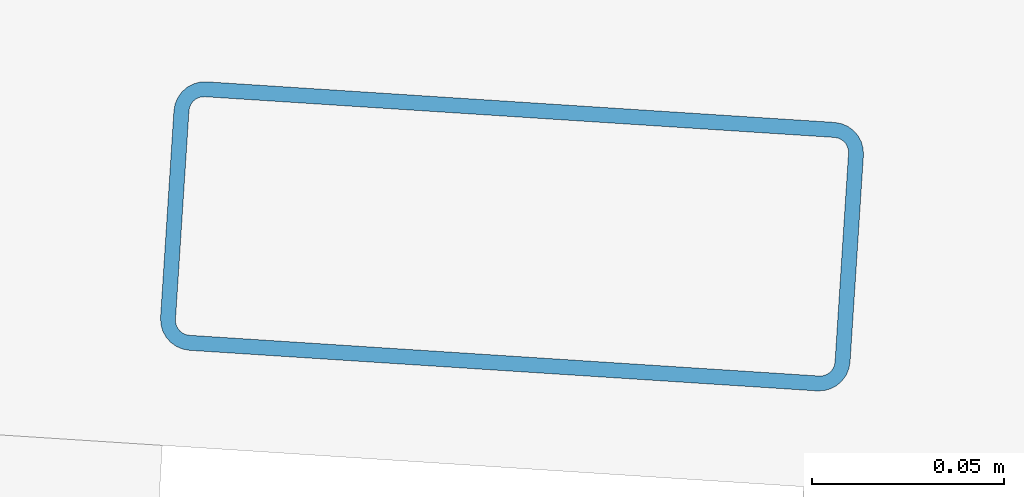
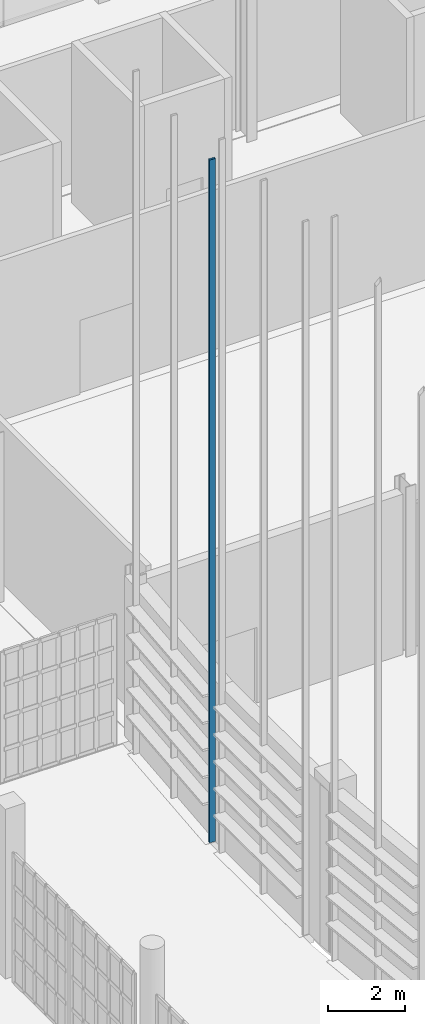
# One storey, part 94 of 372: 1 member.
"""IFC4 building model written with IfcOpenShell, lengths in metres."""

from ifc_helpers import new_model, si_unit, direction, frame, origin, origin_2d, place, context, subcontext, project, spatial, hollow_rectangle, extrude, material, material_profile, profile_set, type_object, element, save


model = new_model("IFC4")

# Units and contexts
model_context = context("Model", 3, precision=1e-05, world=origin(), true_north=direction((0.0, 1.0)))
body_context = subcontext(model_context, "Body", "Model", "MODEL_VIEW")
ifc_project = project(units=[si_unit("LENGTHUNIT", "METRE"), si_unit("AREAUNIT", "SQUARE_METRE"), si_unit("VOLUMEUNIT", "CUBIC_METRE"), si_unit("PLANEANGLEUNIT", "RADIAN"), si_unit("MASSUNIT", "GRAM", prefix="KILO")], contexts=[model_context])

# Site, building, storey
site_placement = place(None, origin())
site = spatial("IfcSite", under=ifc_project, at=site_placement, CompositionType="ELEMENT")
building_placement = place(site_placement, origin())
building = spatial("IfcBuilding", under=site, at=building_placement, Name="Kaelora Sail Theatre", CompositionType="ELEMENT")
storey_placement = place(building_placement, origin())
storey = spatial("IfcBuildingStorey", under=building, at=storey_placement, Name="L00", CompositionType="ELEMENT", Elevation=0.0)

# Member
ifc_material = material(Name="Anodised aluminium 6063-T6", Category="aluminium")
ifc_material_profile = material_profile(ifc_material, hollow_rectangle(XDim=0.070068359375, YDim=0.179931640625, WallThickness=0.00390625, InnerFilletRadius=0.00390625, OuterFilletRadius=0.008056640625, at=origin_2d()), Name="ALU-MULL 70x180x4")
ifc_profile_set = profile_set([ifc_material_profile], Name="Anodised aluminium 6063-T6")
member_type = type_object("IfcMemberType", Name="ARC-MEM-PST-160", PredefinedType="POST", material=ifc_profile_set)
member_placement = place(storey_placement, frame((25.195556640625, 56.0087890625, 0.0), z_axis=(0.0, 0.0, 1.0), x_axis=(0.064532308253, 0.997915618272, 0.0)))
element("IfcMember", 1, at=member_placement, inside=storey, type_object=member_type, Name="Main Theatre Sail Drum solar louvre vertical support post C22-1", PredefinedType="POST", context=body_context, shape_type="SweptSolid", body=[
    extrude(hollow_rectangle(XDim=0.070068359375, YDim=0.179931640625, WallThickness=0.00390625, InnerFilletRadius=0.00390625, OuterFilletRadius=0.008056640625, at=origin_2d()), origin(), (0.0, 0.0, 1.0), 21.716796875),
])

save(model, "model.ifc")
